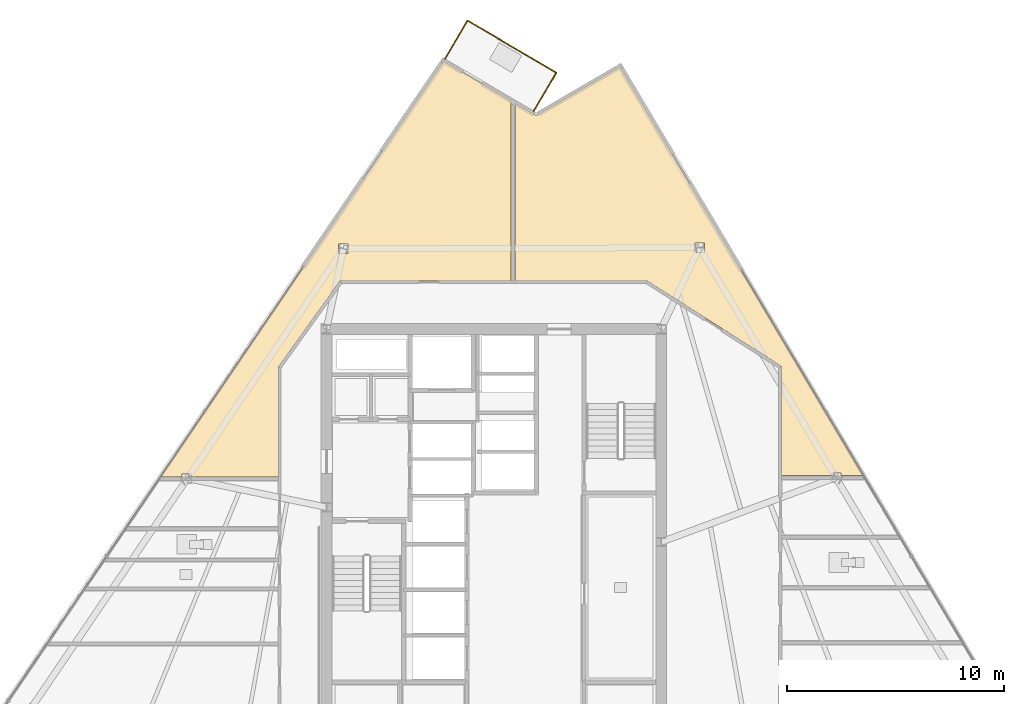
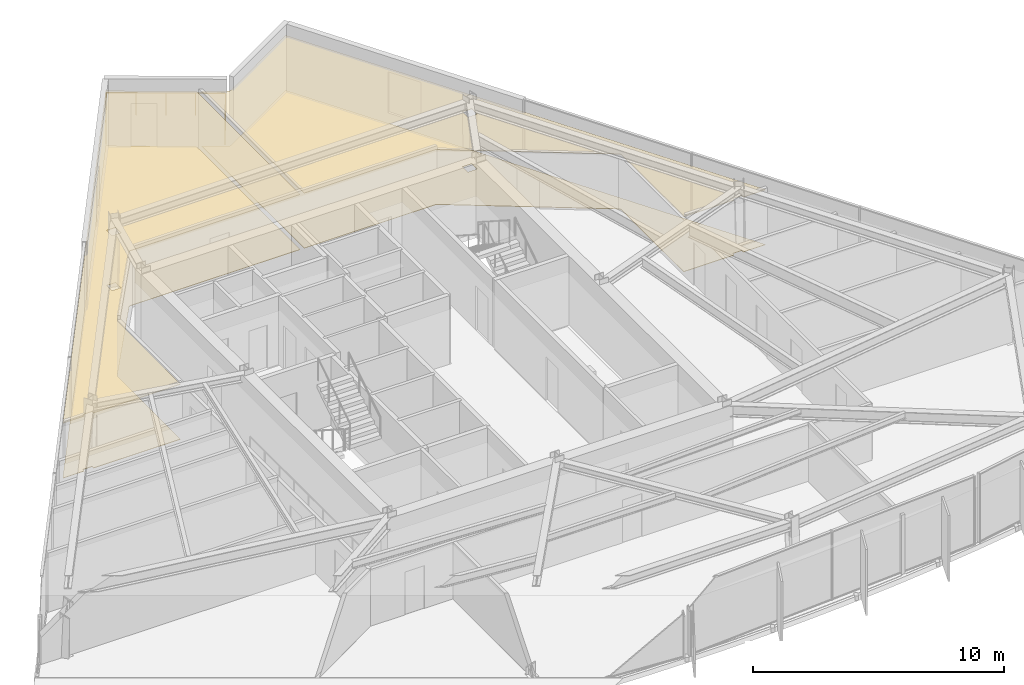
# One storey, part 15 of 16: 4 coverings, 3 railings.
"""IFC4 building model written with IfcOpenShell, lengths in metres."""

from ifc_helpers import new_model, si_unit, direction, frame, origin, origin_2d, place, context, subcontext, project, spatial, polyline, circle, outline, extrude, material, layer, layer_set, type_object, element, save


model = new_model("IFC4")

# Units and contexts
model_context = context("Model", 3, precision=1e-05, world=origin(), true_north=direction((0.0, 1.0)))
body_context = subcontext(model_context, "Body", "Model", "MODEL_VIEW")
ifc_project = project(units=[si_unit("LENGTHUNIT", "METRE"), si_unit("AREAUNIT", "SQUARE_METRE"), si_unit("VOLUMEUNIT", "CUBIC_METRE"), si_unit("PLANEANGLEUNIT", "RADIAN"), si_unit("MASSUNIT", "GRAM", prefix="KILO")], contexts=[model_context])

# Site, building, storey
site_placement = place(None, origin())
site = spatial("IfcSite", under=ifc_project, at=site_placement, CompositionType="ELEMENT")
building_placement = place(site_placement, origin())
building = spatial("IfcBuilding", under=site, at=building_placement, Name="Savorim Split Tower", CompositionType="ELEMENT")
storey_placement = place(building_placement, frame((0.0, 0.0, 149.39990234375)))
storey = spatial("IfcBuildingStorey", under=building, at=storey_placement, Name="L39", CompositionType="ELEMENT", Elevation=149.39990234375)

# Coverings
ifc_material_1 = material(Name="Mineral Fibre Acoustic Ceiling")
ifc_layer_1 = layer(ifc_material_1, 0.02490234375)
ifc_layer_set_1 = layer_set([ifc_layer_1], Name="COV-CEIL-25")
covering_type_1 = type_object("IfcCoveringType", Name="COV-CEIL-25", PredefinedType="CEILING", material=ifc_layer_set_1)
covering_1_placement = place(storey_placement, frame((0.0, 0.0, 2.670166015625)))
element("IfcCovering", 1, at=covering_1_placement, inside=storey, type_object=covering_type_1, Name="L39 Co-Working Commons Acoustic Ceiling", PredefinedType="CEILING", context=body_context, shape_type="SweptSolid", body=[
    extrude(outline(polyline([(1.90380859375, 20.049560546875), (1.89306640625, 20.053955078125), (1.8828125, 20.059326171875), (0.973876953125, 20.593505859375), (0.973876953125, 12.419921875), (7.0, 12.419921875), (7.01318359375, 12.41943359375), (7.0263671875, 12.41748046875), (7.0390625, 12.414306640625), (7.051513671875, 12.41015625), (7.063720703125, 12.40478515625), (7.0751953125, 12.398193359375), (13.175048828125, 8.51806640625), (13.1865234375, 8.510009765625), (13.197265625, 8.500732421875), (13.206787109375, 8.490478515625), (13.21533203125, 8.479248046875), (13.22265625, 8.46728515625), (13.22900390625, 8.45458984375), (13.233642578125, 8.44140625), (13.2373046875, 8.427978515625), (13.2392578125, 8.4140625), (13.239990234375, 8.39990234375), (13.239990234375, 3.448486328125), (15.5546875, 3.448486328125), (15.5546875, 3.56689453125), (15.978515625, 3.56689453125), (15.978515625, 3.448486328125), (17.00439453125, 3.448486328125), (17.006103515625, 3.448486328125), (5.81005859375, 22.27734375), (2.00390625, 20.05908203125), (1.993896484375, 20.0537109375), (1.983154296875, 20.049560546875), (1.971923828125, 20.046142578125), (1.960693359375, 20.0439453125), (1.94921875, 20.04296875), (1.9375, 20.04296875), (1.926025390625, 20.044189453125), (1.914794921875, 20.04638671875), (1.90380859375, 20.049560546875)]), holes=[polyline([(9.681396484375, 14.156982421875), (9.257568359375, 14.156982421875), (9.257568359375, 13.72998046875), (9.681396484375, 13.72998046875), (9.681396484375, 14.156982421875)])]), origin(), (0.0, 0.0, 1.0), 0.02490234375),
])
covering_2_placement = place(storey_placement, frame((0.0, 0.0, 2.670166015625)))
element("IfcCovering", 2, at=covering_2_placement, inside=storey, type_object=covering_type_1, Name="L39 Co-Working Commons Acoustic Ceiling", PredefinedType="CEILING", context=body_context, shape_type="SweptSolid", body=[
    extrude(outline(polyline([(-7.0, 12.419921875), (0.783935546875, 12.419921875), (0.783935546875, 20.705078125), (-2.322021484375, 22.530517578125), (-15.33642578125, 3.399658203125), (-14.3466796875, 3.399658203125), (-14.3466796875, 3.51806640625), (-13.922607421875, 3.51806640625), (-13.922607421875, 3.399658203125), (-9.919921875, 3.399658203125), (-9.919921875, 8.39990234375), (-9.919189453125, 8.41455078125), (-9.9169921875, 8.4287109375), (-9.913330078125, 8.44287109375), (-9.908203125, 8.456298828125), (-9.901611328125, 8.46923828125), (-9.893798828125, 8.4814453125), (-7.11376953125, 12.361572265625), (-7.105712890625, 12.3720703125), (-7.096435546875, 12.381591796875), (-7.086181640625, 12.39013671875), (-7.075439453125, 12.39794921875), (-7.06396484375, 12.404541015625), (-7.052001953125, 12.409912109375), (-7.039306640625, 12.414306640625), (-7.0263671875, 12.41748046875), (-7.01318359375, 12.41943359375), (-7.0, 12.419921875)]), holes=[polyline([(-6.718505859375, 14.1083984375), (-7.142333984375, 14.1083984375), (-7.142333984375, 13.681396484375), (-6.718505859375, 13.681396484375), (-6.718505859375, 14.1083984375)])]), origin(), (0.0, 0.0, 1.0), 0.02490234375),
])
ifc_material_2 = material(Name="Porcelain Stoneware Flooring", Category="masonry")
ifc_layer_2 = layer(ifc_material_2, 0.02001953125)
ifc_layer_set_2 = layer_set([ifc_layer_2], Name="COV-FLOR-20")
covering_type_2 = type_object("IfcCoveringType", Name="COV-FLOR-20", PredefinedType="FLOORING", material=ifc_layer_set_2)
covering_3_placement = place(storey_placement, origin())
element("IfcCovering", 3, at=covering_3_placement, inside=storey, type_object=covering_type_2, Name="L39 Co-Working Commons Porcelain Flooring", PredefinedType="FLOORING", context=body_context, shape_type="SweptSolid", body=[
    extrude(outline(polyline([(1.90380859375, 20.049560546875), (1.89306640625, 20.053955078125), (1.8828125, 20.059326171875), (0.973876953125, 20.593505859375), (0.973876953125, 12.419921875), (7.0, 12.419921875), (7.01318359375, 12.41943359375), (7.0263671875, 12.41748046875), (7.0390625, 12.414306640625), (7.051513671875, 12.41015625), (7.063720703125, 12.40478515625), (7.0751953125, 12.398193359375), (13.175048828125, 8.51806640625), (13.1865234375, 8.510009765625), (13.197265625, 8.500732421875), (13.206787109375, 8.490478515625), (13.21533203125, 8.479248046875), (13.22265625, 8.46728515625), (13.22900390625, 8.45458984375), (13.233642578125, 8.44140625), (13.2373046875, 8.427978515625), (13.2392578125, 8.4140625), (13.239990234375, 8.39990234375), (13.239990234375, 3.448486328125), (15.5546875, 3.448486328125), (15.5546875, 3.56689453125), (15.978515625, 3.56689453125), (15.978515625, 3.448486328125), (17.00439453125, 3.448486328125), (17.006103515625, 3.448486328125), (5.81005859375, 22.27734375), (2.00390625, 20.05908203125), (1.993896484375, 20.0537109375), (1.983154296875, 20.049560546875), (1.971923828125, 20.046142578125), (1.960693359375, 20.0439453125), (1.94921875, 20.04296875), (1.9375, 20.04296875), (1.926025390625, 20.044189453125), (1.914794921875, 20.04638671875), (1.90380859375, 20.049560546875)]), holes=[polyline([(9.681396484375, 14.156982421875), (9.257568359375, 14.156982421875), (9.257568359375, 13.72998046875), (9.681396484375, 13.72998046875), (9.681396484375, 14.156982421875)])]), origin(), (0.0, 0.0, 1.0), 0.02001953125),
])
covering_4_placement = place(storey_placement, origin())
element("IfcCovering", 4, at=covering_4_placement, inside=storey, type_object=covering_type_2, Name="L39 Co-Working Commons Porcelain Flooring", PredefinedType="FLOORING", context=body_context, shape_type="SweptSolid", body=[
    extrude(outline(polyline([(-7.0, 12.419921875), (0.783935546875, 12.419921875), (0.783935546875, 20.705078125), (-2.322021484375, 22.530517578125), (-15.33642578125, 3.399658203125), (-14.3466796875, 3.399658203125), (-14.3466796875, 3.51806640625), (-13.922607421875, 3.51806640625), (-13.922607421875, 3.399658203125), (-9.919921875, 3.399658203125), (-9.919921875, 8.39990234375), (-9.919189453125, 8.41455078125), (-9.9169921875, 8.4287109375), (-9.913330078125, 8.44287109375), (-9.908203125, 8.456298828125), (-9.901611328125, 8.46923828125), (-9.893798828125, 8.4814453125), (-7.11376953125, 12.361572265625), (-7.105712890625, 12.3720703125), (-7.096435546875, 12.381591796875), (-7.086181640625, 12.39013671875), (-7.075439453125, 12.39794921875), (-7.06396484375, 12.404541015625), (-7.052001953125, 12.409912109375), (-7.039306640625, 12.414306640625), (-7.0263671875, 12.41748046875), (-7.01318359375, 12.41943359375), (-7.0, 12.419921875)]), holes=[polyline([(-6.718505859375, 14.1083984375), (-7.142333984375, 14.1083984375), (-7.142333984375, 13.681396484375), (-6.718505859375, 13.681396484375), (-6.718505859375, 14.1083984375)])]), origin(), (0.0, 0.0, 1.0), 0.02001953125),
])

# Railings
ifc_material_3 = material(Name="Galvanised Painted Steel Balustrade", Category="steel")
railing_type = type_object("IfcRailingType", Name="RLG-BAL-1100", PredefinedType="BALUSTRADE", material=ifc_material_3)
railing_1_placement = place(storey_placement, frame((-2.254638671875, 22.630126953125, 0.0)))
element("IfcRailing", 5, at=railing_1_placement, inside=storey, type_object=railing_type, Name="L39 Tree Balcony Guardrail N-1", PredefinedType="BALUSTRADE", context=body_context, shape_type="SweptSolid", body=[
    extrude(circle(Radius=0.02392578125, at=origin_2d()), frame((0.0, 0.0, 1.076171875), z_axis=(0.506681829236, 0.862133124246, 0.0), x_axis=(-0.862133124246, 0.506681829236, 0.0)), (0.0, 0.0, 1.0), 2.05029296875),
    extrude(circle(Radius=0.02099609375, at=origin_2d()), origin(), (0.0, 0.0, 1.0), 1.052001953125),
    extrude(circle(Radius=0.02099609375, at=origin_2d()), frame((0.51953125, 0.8837890625, 0.0)), (0.0, 0.0, 1.0), 1.052001953125),
    extrude(circle(Radius=0.02099609375, at=origin_2d()), frame((1.038818359375, 1.767578125, 0.0)), (0.0, 0.0, 1.0), 1.052001953125),
])
railing_2_placement = place(storey_placement, frame((-1.2158203125, 24.397705078125, 0.0)))
element("IfcRailing", 6, at=railing_2_placement, inside=storey, type_object=railing_type, Name="L39 Tree Balcony Guardrail N-2", PredefinedType="BALUSTRADE", context=body_context, shape_type="SweptSolid", body=[
    extrude(circle(Radius=0.02392578125, at=origin_2d()), frame((0.0, 0.0, 1.076171875), z_axis=(0.862111227973, -0.506719084507, 0.0), x_axis=(0.506719084507, 0.862111227973, 0.0)), (0.0, 0.0, 1.0), 4.749755859375),
    extrude(circle(Radius=0.02099609375, at=origin_2d()), origin(), (0.0, 0.0, 1.0), 1.052001953125),
    extrude(circle(Radius=0.02099609375, at=origin_2d()), frame((1.023681640625, -0.6015625, 0.0)), (0.0, 0.0, 1.0), 1.052001953125),
    extrude(circle(Radius=0.02099609375, at=origin_2d()), frame((2.04736328125, -1.203369140625, 0.0)), (0.0, 0.0, 1.0), 1.052001953125),
    extrude(circle(Radius=0.02099609375, at=origin_2d()), frame((3.071044921875, -1.80517578125, 0.0)), (0.0, 0.0, 1.0), 1.052001953125),
    extrude(circle(Radius=0.02099609375, at=origin_2d()), frame((4.0947265625, -2.40673828125, 0.0)), (0.0, 0.0, 1.0), 1.052001953125),
])
railing_3_placement = place(storey_placement, frame((2.87890625, 21.990966796875, 0.0)))
element("IfcRailing", 7, at=railing_3_placement, inside=storey, type_object=railing_type, Name="L39 Tree Balcony Guardrail N-3", PredefinedType="BALUSTRADE", context=body_context, shape_type="SweptSolid", body=[
    extrude(circle(Radius=0.02392578125, at=origin_2d()), frame((0.0, 0.0, 1.076171875), z_axis=(-0.506733850669, -0.862102548764, 0.0), x_axis=(0.862102548764, -0.506733850669, 0.0)), (0.0, 0.0, 1.0), 2.050048828125),
    extrude(circle(Radius=0.02099609375, at=origin_2d()), origin(), (0.0, 0.0, 1.0), 1.052001953125),
    extrude(circle(Radius=0.02099609375, at=origin_2d()), frame((-0.51953125, -0.8837890625, 0.0)), (0.0, 0.0, 1.0), 1.052001953125),
    extrude(circle(Radius=0.02099609375, at=origin_2d()), frame((-1.038818359375, -1.767333984375, 0.0)), (0.0, 0.0, 1.0), 1.052001953125),
])

save(model, "model.ifc")
